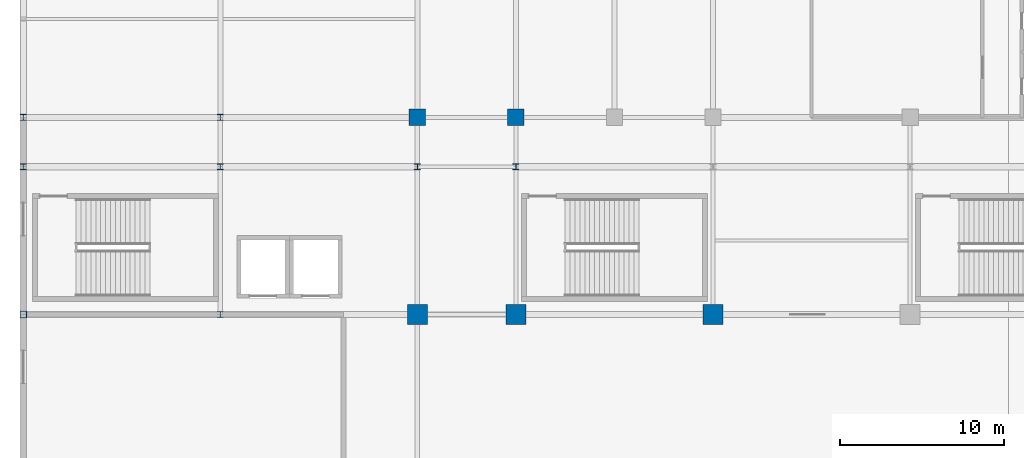
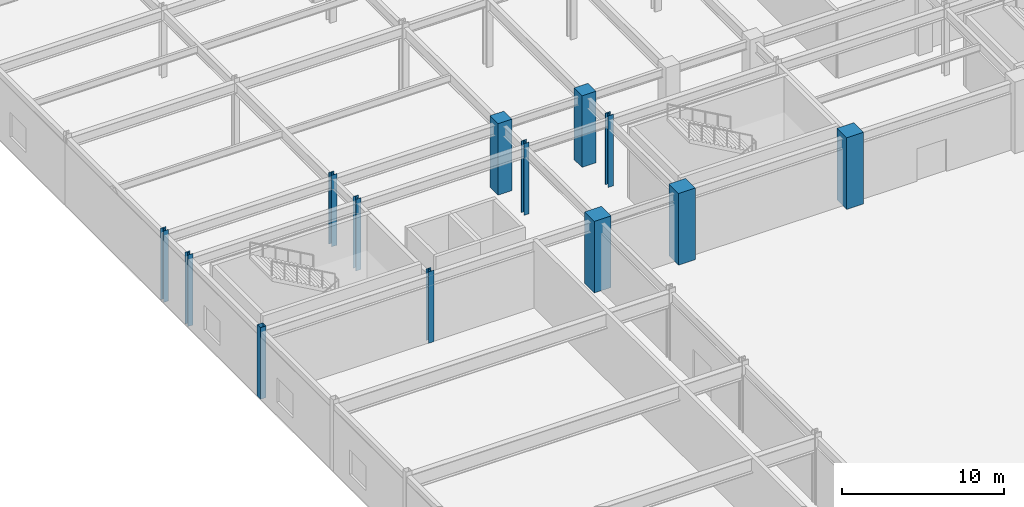
# One storey, part 7 of 100: 13 columns.
"""IFC4 building model written with IfcOpenShell, lengths in metres."""

from ifc_helpers import new_model, si_unit, direction, frame, origin, origin_2d, place, context, subcontext, project, spatial, rectangle, hollow_rectangle, i_section, extrude, material, material_profile, profile_set, type_object, element, save


model = new_model("IFC4")

# Units and contexts
model_context = context("Model", 3, precision=1e-05, world=origin(), true_north=direction((0.0, 1.0)))
body_context = subcontext(model_context, "Body", "Model", "MODEL_VIEW")
ifc_project = project(units=[si_unit("LENGTHUNIT", "METRE"), si_unit("AREAUNIT", "SQUARE_METRE"), si_unit("VOLUMEUNIT", "CUBIC_METRE"), si_unit("PLANEANGLEUNIT", "RADIAN"), si_unit("MASSUNIT", "GRAM", prefix="KILO")], contexts=[model_context])

# Site, building, storey
site_placement = place(None, origin())
site = spatial("IfcSite", under=ifc_project, at=site_placement, CompositionType="ELEMENT")
building_placement = place(site_placement, origin())
building = spatial("IfcBuilding", under=site, at=building_placement, Name="Kaldorvane Square Convention Centre", CompositionType="ELEMENT")
storey_placement = place(building_placement, frame((0.0, 0.0, 18.0)))
storey = spatial("IfcBuildingStorey", under=building, at=storey_placement, Name="L03", CompositionType="ELEMENT", Elevation=18.0)

# Columns
ifc_material_1 = material(Name="Steel ASTM A500 Gr. C", Category="steel")
ifc_material_profile_1 = material_profile(ifc_material_1, hollow_rectangle(XDim=0.406402587890625, YDim=0.406402587890625, WallThickness=0.014801025390625, at=origin_2d()), Name="HSS16X16X5/8")
ifc_profile_set_1 = profile_set([ifc_material_profile_1], Name="Steel ASTM A500 Gr. C")
column_type_1 = type_object("IfcColumnType", Name="COL-HSS-16", PredefinedType="COLUMN", material=ifc_profile_set_1)
column_placement = place(storey_placement, frame((0.0, 72.0, 0.0), z_axis=(0.0, 0.0, 1.0), x_axis=(1.0, 0.0, 0.0)))
element("IfcColumn", 1, at=column_placement, inside=storey, type_object=column_type_1, Name="Column SC-14 (L03)", PredefinedType="COLUMN", context=body_context, shape_type="SweptSolid", body=[
    extrude(hollow_rectangle(XDim=0.406402587890625, YDim=0.406402587890625, WallThickness=0.014801025390625, at=origin_2d()), origin(), (0.0, 0.0, 1.0), 5.399993896484375),
])
ifc_material_2 = material(Name="Concrete f'c = 55 MPa (Normalweight)", Category="concrete")
ifc_material_profile_2 = material_profile(ifc_material_2, rectangle(XDim=1.1999969482421875, YDim=1.1999969482421875, at=origin_2d()), Name="RC1200X1200")
ifc_profile_set_2 = profile_set([ifc_material_profile_2], Name="Concrete f'c = 55 MPa (Normalweight)")
column_type_2 = type_object("IfcColumnType", Name="COL-MEGA-1200", PredefinedType="COLUMN", material=ifc_profile_set_2)
for number, where, z_axis, x_axis, name in (
    (2, (24.0, 72.0, 0.0), (0.0, 0.0, 1.0), (1.0, 0.0, 0.0), "Column MC-02 (L03)"),
    (3, (30.0, 72.0, 0.0), (0.0, 0.0, 1.0), (1.0, 0.0, 0.0), "Column MC-02 (L03)"),
    (4, (42.0, 72.0, 0.0), (0.0, 0.0, 1.0), (1.0, 0.0, 0.0), "Column MC-02 (L03)"),
):
    element("IfcColumn", number, at=place(storey_placement, frame(where, z_axis=z_axis, x_axis=x_axis)), inside=storey, type_object=column_type_2, Name=name, PredefinedType="COLUMN", context=body_context, shape_type="SweptSolid", body=[
        extrude(rectangle(XDim=1.1999969482421875, YDim=1.1999969482421875, at=origin_2d()), origin(), (0.0, 0.0, 1.0), 5.399993896484375),
    ])
ifc_material_profile_3 = material_profile(ifc_material_2, rectangle(XDim=1.0, YDim=1.0, at=origin_2d()), Name="RC1000X1000")
ifc_profile_set_3 = profile_set([ifc_material_profile_3], Name="Concrete f'c = 55 MPa (Normalweight)")
column_type_3 = type_object("IfcColumnType", Name="COL-RC-1000", PredefinedType="COLUMN", material=ifc_profile_set_3)
for number, where, z_axis, x_axis, name in (
    (5, (24.0, 84.0, 0.0), (0.0, 0.0, 1.0), (1.0, 0.0, 0.0), "Column CC-02 (L03)"),
    (6, (30.0, 84.0, 0.0), (0.0, 0.0, 1.0), (1.0, 0.0, 0.0), "Column CC-02 (L03)"),
):
    element("IfcColumn", number, at=place(storey_placement, frame(where, z_axis=z_axis, x_axis=x_axis)), inside=storey, type_object=column_type_3, Name=name, PredefinedType="COLUMN", context=body_context, shape_type="SweptSolid", body=[
        extrude(rectangle(XDim=1.0, YDim=1.0, at=origin_2d()), origin(), (0.0, 0.0, 1.0), 5.399993896484375),
    ])
ifc_material_3 = material(Name="Steel ASTM A992 Gr. 50", Category="steel")
ifc_material_profile_4 = material_profile(ifc_material_3, i_section(OverallWidth=0.3701019287109375, OverallDepth=0.360198974609375, WebThickness=0.012298583984375, FlangeThickness=0.019805908203125, FilletRadius=0.0305023193359375, at=origin_2d()), Name="W14X99")
ifc_profile_set_4 = profile_set([ifc_material_profile_4], Name="Steel ASTM A992 Gr. 50")
column_type_4 = type_object("IfcColumnType", Name="COL-STL-99", PredefinedType="COLUMN", material=ifc_profile_set_4)
for number, where, z_axis, x_axis, name in (
    (7, (0.0, 81.0, 0.0), (0.0, 0.0, 1.0), (1.0, 0.0, 0.0), "Column SC-12 (L03)"),
    (8, (0.0, 84.0, 0.0), (0.0, 0.0, 1.0), (1.0, 0.0, 0.0), "Column SC-12 (L03)"),
    (9, (12.0, 72.0, 0.0), (0.0, 0.0, 1.0), (1.0, 0.0, 0.0), "Column SC-12 (L03)"),
    (10, (12.0, 81.0, 0.0), (0.0, 0.0, 1.0), (1.0, 0.0, 0.0), "Column SC-12 (L03)"),
    (11, (12.0, 84.0, 0.0), (0.0, 0.0, 1.0), (1.0, 0.0, 0.0), "Column SC-12 (L03)"),
    (12, (24.0, 81.0, 0.0), (0.0, 0.0, 1.0), (1.0, 0.0, 0.0), "Column SC-12 (L03)"),
    (13, (30.0, 81.0, 0.0), (0.0, 0.0, 1.0), (1.0, 0.0, 0.0), "Column SC-12 (L03)"),
):
    element("IfcColumn", number, at=place(storey_placement, frame(where, z_axis=z_axis, x_axis=x_axis)), inside=storey, type_object=column_type_4, Name=name, PredefinedType="COLUMN", context=body_context, shape_type="SweptSolid", body=[
        extrude(i_section(OverallWidth=0.3701019287109375, OverallDepth=0.360198974609375, WebThickness=0.012298583984375, FlangeThickness=0.019805908203125, FilletRadius=0.0305023193359375, at=origin_2d()), origin(), (0.0, 0.0, 1.0), 5.399993896484375),
    ])

save(model, "model.ifc")
